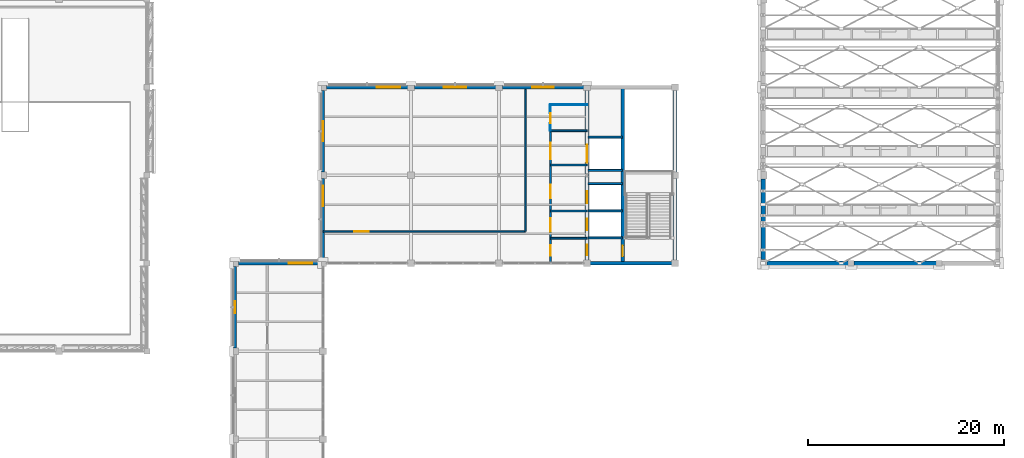
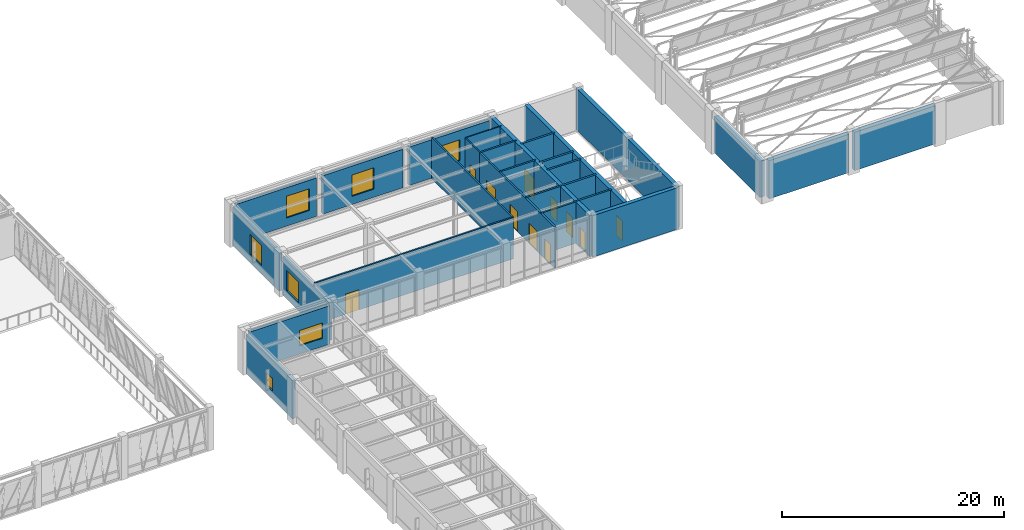
# One storey, part 85 of 98: 28 walls, 11 doors, 7 windows, 18 openings.
"""IFC4 building model written with IfcOpenShell, lengths in metres."""

from ifc_helpers import new_model, si_unit, direction, frame, frame_2d, origin, place, context, subcontext, project, spatial, rectangle, extrude, material, layer, layer_set, type_object, element, fill, save


model = new_model("IFC4")

# Units and contexts
model_context = context("Model", 3, precision=1e-05, world=origin(), true_north=direction((0.0, 1.0)))
body_context = subcontext(model_context, "Body", "Model", "MODEL_VIEW")
ifc_project = project(units=[si_unit("LENGTHUNIT", "METRE"), si_unit("AREAUNIT", "SQUARE_METRE"), si_unit("VOLUMEUNIT", "CUBIC_METRE"), si_unit("PLANEANGLEUNIT", "RADIAN"), si_unit("MASSUNIT", "GRAM", prefix="KILO")], contexts=[model_context])

# Site, building, storey
site_placement = place(None, origin())
site = spatial("IfcSite", under=ifc_project, at=site_placement, CompositionType="ELEMENT")
building_placement = place(site_placement, origin())
building = spatial("IfcBuilding", under=site, at=building_placement, Name="Lykobir Media Centre", CompositionType="ELEMENT")
storey_placement = place(building_placement, frame((0.0, 0.0, 10.199951171875)))
storey = spatial("IfcBuildingStorey", under=building, at=storey_placement, Name="L02", CompositionType="ELEMENT", Elevation=10.199951171875)

# Walls
ifc_material_1 = material(Name="Concrete C35/45", Category="concrete")
ifc_layer_1 = layer(ifc_material_1, 0.4599609375, Name="Concrete C35/45")
ifc_layer_set_1 = layer_set([ifc_layer_1], Name="Concrete C35/45")
wall_type_1 = type_object("IfcWallType", Name="EW-ACO-460", PredefinedType="STANDARD", material=ifc_layer_set_1)
wall_1_placement = place(storey_placement, frame((144.0, 80.614990234375, 0.0), z_axis=(0.0, 0.0, 1.0), x_axis=(0.0, -1.0, 0.0)))
element("IfcWall", 1, at=wall_1_placement, inside=storey, type_object=wall_type_1, Name="Exterior wall WALL-L02-0213", PredefinedType="STANDARD", context=body_context, shape_type="SweptSolid", body=[
    extrude(rectangle(XDim=8.22998046875, YDim=0.4599609375, at=frame_2d((4.114990234375, 0.0))), origin(), (0.0, 0.0, 1.0), 3.985107421875),
])
wall_2_placement = place(storey_placement, frame((144.385009765625, 72.0, 0.0), z_axis=(0.0, 0.0, 1.0), x_axis=(1.0, 0.0, 0.0)))
element("IfcWall", 2, at=wall_2_placement, inside=storey, type_object=wall_type_1, Name="Exterior wall WALL-L02-0218", PredefinedType="STANDARD", context=body_context, shape_type="SweptSolid", body=[
    extrude(rectangle(XDim=8.330078125, YDim=0.4599609375, at=frame_2d((4.1650390625, 0.0))), origin(), (0.0, 0.0, 1.0), 4.22509765625),
])
wall_3_placement = place(storey_placement, frame((153.284912109375, 72.0, 0.0), z_axis=(0.0, 0.0, 1.0), x_axis=(1.0, 0.0, 0.0)))
element("IfcWall", 3, at=wall_3_placement, inside=storey, type_object=wall_type_1, Name="Exterior wall WALL-L02-0219", PredefinedType="STANDARD", context=body_context, shape_type="SweptSolid", body=[
    extrude(rectangle(XDim=8.43017578125, YDim=0.4599609375, at=frame_2d((4.215087890625, 0.0))), origin(), (0.0, 0.0, 1.0), 4.22509765625),
])

# Wall, opening, window
ifc_material_2 = material(Name="Architectural Ochre Brick", Category="masonry")
ifc_layer_2 = layer(ifc_material_2, 0.330078125, Name="Architectural Ochre Brick")
ifc_layer_set_2 = layer_set([ifc_layer_2], Name="Architectural Ochre Brick")
wall_type_2 = type_object("IfcWallType", Name="EW-BRK-330", PredefinedType="STANDARD", material=ifc_layer_set_2)
wall_4_placement = place(storey_placement, frame((98.6650390625, 72.0, 0.0), z_axis=(0.0, 0.0, 1.0), x_axis=(-1.0, 0.0, 0.0)))
wall_4 = element("IfcWall", 4, at=wall_4_placement, inside=storey, type_object=wall_type_2, Name="Exterior wall WALL-L02-0196", PredefinedType="STANDARD", context=body_context, shape_type="SweptSolid", body=[
    extrude(rectangle(XDim=8.330078125, YDim=0.330078125, at=frame_2d((4.1650390625, 0.0))), origin(), (0.0, 0.0, 1.0), 4.235107421875),
])
opening_1_placement = place(wall_4_placement, frame((0.75, 0.0, 0.89990234375)))
opening_1 = element("IfcOpeningElement", 5, at=opening_1_placement, cuts=wall_4, Name="Opening WN-2400x1700", PredefinedType="OPENING", context=body_context, shape_type="SweptSolid", body=[
    extrude(rectangle(XDim=2.39990234375, YDim=1.699951171875, at=frame_2d((1.199951171875, 0.85009765625))), frame((0.0, 0.175048828125, 0.0), z_axis=(0.0, -1.0, 0.0), x_axis=(1.0, 0.0, 0.0)), (0.0, 0.0, 1.0), 0.35009765625),
])
ifc_material_3 = material(Name="Low-E Laminated Triple Glazing", Category="glass")
window_type_1 = type_object("IfcWindowType", Name="WN-2400x1700", PartitioningType="SINGLE_PANEL", PredefinedType="WINDOW", material=ifc_material_3)
window_1_placement = place(opening_1_placement, origin())
window_1 = element("IfcWindow", 6, at=window_1_placement, inside=storey, type_object=window_type_1, Name="Window WIN-L02-0057", OverallHeight=1.699951171875, OverallWidth=2.39990234375, PartitioningType="SINGLE_PANEL", PredefinedType="WINDOW", context=body_context, shape_type="SweptSolid", body=[
    extrude(rectangle(XDim=2.39990234375, YDim=1.699951171875, at=frame_2d((1.199951171875, 0.85009765625))), frame((0.0, 0.030029296875, 0.0), z_axis=(0.0, -1.0, 0.0), x_axis=(1.0, 0.0, 0.0)), (0.0, 0.0, 1.0), 0.06005859375),
])
fill(opening_1, window_1)

wall_5_placement = place(storey_placement, frame((90.0, 71.6650390625, 0.0), z_axis=(0.0, 0.0, 1.0), x_axis=(0.0, -1.0, 0.0)))
wall_5 = element("IfcWall", 7, at=wall_5_placement, inside=storey, type_object=wall_type_2, Name="Exterior wall WALL-L02-0202", PredefinedType="STANDARD", context=body_context, shape_type="SweptSolid", body=[
    extrude(rectangle(XDim=8.330078125, YDim=0.330078125, at=frame_2d((4.1650390625, 0.0))), origin(), (0.0, 0.0, 1.0), 4.235107421875),
])
opening_2_placement = place(wall_5_placement, frame((3.56494140625, 0.0, 0.89990234375)))
opening_2 = element("IfcOpeningElement", 8, at=opening_2_placement, cuts=wall_5, Name="Opening WN-1200x1400", PredefinedType="OPENING", context=body_context, shape_type="SweptSolid", body=[
    extrude(rectangle(XDim=1.199951171875, YDim=1.39990234375, at=frame_2d((0.60009765625, 0.699951171875))), frame((0.0, 0.175048828125, 0.0), z_axis=(0.0, -1.0, 0.0), x_axis=(1.0, 0.0, 0.0)), (0.0, 0.0, 1.0), 0.35009765625),
])
window_type_2 = type_object("IfcWindowType", Name="WN-1200x1400", PartitioningType="SINGLE_PANEL", PredefinedType="WINDOW", material=ifc_material_3)
window_2_placement = place(opening_2_placement, origin())
window_2 = element("IfcWindow", 9, at=window_2_placement, inside=storey, type_object=window_type_2, Name="Window WIN-L02-0063", OverallHeight=1.39990234375, OverallWidth=1.199951171875, PartitioningType="SINGLE_PANEL", PredefinedType="WINDOW", context=body_context, shape_type="SweptSolid", body=[
    extrude(rectangle(XDim=1.199951171875, YDim=1.39990234375, at=frame_2d((0.60009765625, 0.699951171875))), frame((0.0, 0.030029296875, 0.0), z_axis=(0.0, -1.0, 0.0), x_axis=(1.0, 0.0, 0.0)), (0.0, 0.0, 1.0), 0.06005859375),
])
fill(opening_2, window_2)

wall_6_placement = place(storey_placement, frame((107.6650390625, 90.0, 0.0), z_axis=(0.0, 0.0, 1.0), x_axis=(-1.0, 0.0, 0.0)))
wall_6 = element("IfcWall", 10, at=wall_6_placement, inside=storey, type_object=wall_type_2, Name="Exterior wall WALL-L02-0208", PredefinedType="STANDARD", context=body_context, shape_type="SweptSolid", body=[
    extrude(rectangle(XDim=8.330078125, YDim=0.330078125, at=frame_2d((4.1650390625, 0.0))), origin(), (0.0, 0.0, 1.0), 4.235107421875),
])
opening_3_placement = place(wall_6_placement, frame((0.75, 0.0, 0.89990234375)))
opening_3 = element("IfcOpeningElement", 11, at=opening_3_placement, cuts=wall_6, Name="Opening WN-2400x2400", PredefinedType="OPENING", context=body_context, shape_type="SweptSolid", body=[
    extrude(rectangle(XDim=2.39990234375, YDim=2.39990234375, at=frame_2d((1.199951171875, 1.199951171875))), frame((0.0, 0.175048828125, 0.0), z_axis=(0.0, -1.0, 0.0), x_axis=(1.0, 0.0, 0.0)), (0.0, 0.0, 1.0), 0.35009765625),
])
window_type_3 = type_object("IfcWindowType", Name="WN-2400x2400", PartitioningType="SINGLE_PANEL", PredefinedType="WINDOW", material=ifc_material_3)
window_3_placement = place(opening_3_placement, origin())
window_3 = element("IfcWindow", 12, at=window_3_placement, inside=storey, type_object=window_type_3, Name="Window WIN-L02-0068", OverallHeight=2.39990234375, OverallWidth=2.39990234375, PartitioningType="SINGLE_PANEL", PredefinedType="WINDOW", context=body_context, shape_type="SweptSolid", body=[
    extrude(rectangle(XDim=2.39990234375, YDim=2.39990234375, at=frame_2d((1.199951171875, 1.199951171875))), frame((0.0, 0.030029296875, 0.0), z_axis=(0.0, -1.0, 0.0), x_axis=(1.0, 0.0, 0.0)), (0.0, 0.0, 1.0), 0.06005859375),
])
fill(opening_3, window_3)

wall_7_placement = place(storey_placement, frame((116.6650390625, 90.0, 0.0), z_axis=(0.0, 0.0, 1.0), x_axis=(-1.0, 0.0, 0.0)))
wall_7 = element("IfcWall", 13, at=wall_7_placement, inside=storey, type_object=wall_type_2, Name="Exterior wall WALL-L02-0209", PredefinedType="STANDARD", context=body_context, shape_type="SweptSolid", body=[
    extrude(rectangle(XDim=8.330078125, YDim=0.330078125, at=frame_2d((4.1650390625, 0.0))), origin(), (0.0, 0.0, 1.0), 4.235107421875),
])
opening_4_placement = place(wall_7_placement, frame((3.014892578125, 0.0, 0.89990234375)))
opening_4 = element("IfcOpeningElement", 14, at=opening_4_placement, cuts=wall_7, Name="Opening WN-2300x2350", PredefinedType="OPENING", context=body_context, shape_type="SweptSolid", body=[
    extrude(rectangle(XDim=2.300048828125, YDim=2.35009765625, at=frame_2d((1.14990234375, 1.175048828125))), frame((0.0, 0.175048828125, 0.0), z_axis=(0.0, -1.0, 0.0), x_axis=(1.0, 0.0, 0.0)), (0.0, 0.0, 1.0), 0.35009765625),
])
window_type_4 = type_object("IfcWindowType", Name="WN-2300x2350", PartitioningType="SINGLE_PANEL", PredefinedType="WINDOW", material=ifc_material_3)
window_4_placement = place(opening_4_placement, origin())
window_4 = element("IfcWindow", 15, at=window_4_placement, inside=storey, type_object=window_type_4, Name="Window WIN-L02-0069", OverallHeight=2.35009765625, OverallWidth=2.300048828125, PartitioningType="SINGLE_PANEL", PredefinedType="WINDOW", context=body_context, shape_type="SweptSolid", body=[
    extrude(rectangle(XDim=2.300048828125, YDim=2.35009765625, at=frame_2d((1.14990234375, 1.175048828125))), frame((0.0, 0.030029296875, 0.0), z_axis=(0.0, -1.0, 0.0), x_axis=(1.0, 0.0, 0.0)), (0.0, 0.0, 1.0), 0.06005859375),
])
fill(opening_4, window_4)

wall_8_placement = place(storey_placement, frame((125.6650390625, 90.0, 0.0), z_axis=(0.0, 0.0, 1.0), x_axis=(-1.0, 0.0, 0.0)))
wall_8 = element("IfcWall", 16, at=wall_8_placement, inside=storey, type_object=wall_type_2, Name="Exterior wall WALL-L02-0210", PredefinedType="STANDARD", context=body_context, shape_type="SweptSolid", body=[
    extrude(rectangle(XDim=8.330078125, YDim=0.330078125, at=frame_2d((4.1650390625, 0.0))), origin(), (0.0, 0.0, 1.0), 4.235107421875),
])
opening_5_placement = place(wall_8_placement, frame((3.06494140625, 0.0, 0.89990234375)))
opening_5 = element("IfcOpeningElement", 17, at=opening_5_placement, cuts=wall_8, Name="Opening WN-2200x2300", PredefinedType="OPENING", context=body_context, shape_type="SweptSolid", body=[
    extrude(rectangle(XDim=2.199951171875, YDim=2.300048828125, at=frame_2d((1.10009765625, 1.14990234375))), frame((0.0, 0.175048828125, 0.0), z_axis=(0.0, -1.0, 0.0), x_axis=(1.0, 0.0, 0.0)), (0.0, 0.0, 1.0), 0.35009765625),
])
window_type_5 = type_object("IfcWindowType", Name="WN-2200x2300", PartitioningType="SINGLE_PANEL", PredefinedType="WINDOW", material=ifc_material_3)
window_5_placement = place(opening_5_placement, origin())
window_5 = element("IfcWindow", 18, at=window_5_placement, inside=storey, type_object=window_type_5, Name="Window WIN-L02-0070", OverallHeight=2.300048828125, OverallWidth=2.199951171875, PartitioningType="SINGLE_PANEL", PredefinedType="WINDOW", context=body_context, shape_type="SweptSolid", body=[
    extrude(rectangle(XDim=2.199951171875, YDim=2.300048828125, at=frame_2d((1.10009765625, 1.14990234375))), frame((0.0, 0.030029296875, 0.0), z_axis=(0.0, -1.0, 0.0), x_axis=(1.0, 0.0, 0.0)), (0.0, 0.0, 1.0), 0.06005859375),
])
fill(opening_5, window_5)

wall_9_placement = place(storey_placement, frame((99.0, 80.6650390625, 0.0), z_axis=(0.0, 0.0, 1.0), x_axis=(0.0, -1.0, 0.0)))
wall_9 = element("IfcWall", 19, at=wall_9_placement, inside=storey, type_object=wall_type_2, Name="Exterior wall WALL-L02-0211", PredefinedType="STANDARD", context=body_context, shape_type="SweptSolid", body=[
    extrude(rectangle(XDim=8.330078125, YDim=0.330078125, at=frame_2d((4.1650390625, 0.0))), origin(), (0.0, 0.0, 1.0), 4.215087890625),
])
opening_6_placement = place(wall_9_placement, frame((0.75, 0.0, 0.89990234375)))
opening_6 = element("IfcOpeningElement", 20, at=opening_6_placement, cuts=wall_9, Name="Opening WN-2100x2250", PredefinedType="OPENING", context=body_context, shape_type="SweptSolid", body=[
    extrude(rectangle(XDim=2.10009765625, YDim=2.25, at=frame_2d((1.050048828125, 1.125))), frame((0.0, 0.175048828125, 0.0), z_axis=(0.0, -1.0, 0.0), x_axis=(1.0, 0.0, 0.0)), (0.0, 0.0, 1.0), 0.35009765625),
])
window_type_6 = type_object("IfcWindowType", Name="WN-2100x2250", PartitioningType="SINGLE_PANEL", PredefinedType="WINDOW", material=ifc_material_3)
window_6_placement = place(opening_6_placement, origin())
window_6 = element("IfcWindow", 21, at=window_6_placement, inside=storey, type_object=window_type_6, Name="Window WIN-L02-0071", OverallHeight=2.25, OverallWidth=2.10009765625, PartitioningType="SINGLE_PANEL", PredefinedType="WINDOW", context=body_context, shape_type="SweptSolid", body=[
    extrude(rectangle(XDim=2.10009765625, YDim=2.25, at=frame_2d((1.050048828125, 1.125))), frame((0.0, 0.030029296875, 0.0), z_axis=(0.0, -1.0, 0.0), x_axis=(1.0, 0.0, 0.0)), (0.0, 0.0, 1.0), 0.06005859375),
])
fill(opening_6, window_6)

wall_10_placement = place(storey_placement, frame((99.0, 89.6650390625, 0.0), z_axis=(0.0, 0.0, 1.0), x_axis=(0.0, -1.0, 0.0)))
wall_10 = element("IfcWall", 22, at=wall_10_placement, inside=storey, type_object=wall_type_2, Name="Exterior wall WALL-L02-0212", PredefinedType="STANDARD", context=body_context, shape_type="SweptSolid", body=[
    extrude(rectangle(XDim=8.330078125, YDim=0.330078125, at=frame_2d((4.1650390625, 0.0))), origin(), (0.0, 0.0, 1.0), 4.215087890625),
])
opening_7_placement = place(wall_10_placement, frame((3.1650390625, 0.0, 0.89990234375)))
opening_7 = element("IfcOpeningElement", 23, at=opening_7_placement, cuts=wall_10, Name="Opening WN-2000x2200", PredefinedType="OPENING", context=body_context, shape_type="SweptSolid", body=[
    extrude(rectangle(XDim=2.0, YDim=2.199951171875, at=frame_2d((1.0, 1.10009765625))), frame((0.0, 0.175048828125, 0.0), z_axis=(0.0, -1.0, 0.0), x_axis=(1.0, 0.0, 0.0)), (0.0, 0.0, 1.0), 0.35009765625),
])
window_type_7 = type_object("IfcWindowType", Name="WN-2000x2200", PartitioningType="SINGLE_PANEL", PredefinedType="WINDOW", material=ifc_material_3)
window_7_placement = place(opening_7_placement, origin())
window_7 = element("IfcWindow", 24, at=window_7_placement, inside=storey, type_object=window_type_7, Name="Window WIN-L02-0072", OverallHeight=2.199951171875, OverallWidth=2.0, PartitioningType="SINGLE_PANEL", PredefinedType="WINDOW", context=body_context, shape_type="SweptSolid", body=[
    extrude(rectangle(XDim=2.0, YDim=2.199951171875, at=frame_2d((1.0, 1.10009765625))), frame((0.0, 0.030029296875, 0.0), z_axis=(0.0, -1.0, 0.0), x_axis=(1.0, 0.0, 0.0)), (0.0, 0.0, 1.0), 0.06005859375),
])
fill(opening_7, window_7)

# Wall, opening, door
ifc_material_4 = material(Name="Acoustic Gypsum Board", Category="gypsum")
ifc_layer_3 = layer(ifc_material_4, 0.159912109375, Name="Acoustic Gypsum Board")
ifc_layer_set_3 = layer_set([ifc_layer_3], Name="Acoustic Gypsum Board")
wall_type_3 = type_object("IfcWallType", Name="IW-COR-160", PredefinedType="PARTITIONING", material=ifc_layer_set_3)
wall_11_placement = place(storey_placement, frame((99.0, 75.25, 0.0), z_axis=(0.0, 0.0, 1.0), x_axis=(1.0, 0.0, 0.0)))
wall_11 = element("IfcWall", 25, at=wall_11_placement, inside=storey, type_object=wall_type_3, Name="Wall IWALL-L02-0713", PredefinedType="PARTITIONING", context=body_context, shape_type="SweptSolid", body=[
    extrude(rectangle(XDim=20.699951171875, YDim=0.159912109375, at=frame_2d((10.35009765625, 0.0))), origin(), (0.0, 0.0, 1.0), 4.56005859375),
])
opening_8_placement = place(wall_11_placement, frame((3.199951171875, 0.0, 0.0)))
opening_8 = element("IfcOpeningElement", 26, at=opening_8_placement, cuts=wall_11, Name="Opening D-L02-ENB1", PredefinedType="OPENING", context=body_context, shape_type="SweptSolid", body=[
    extrude(rectangle(XDim=1.449951171875, YDim=2.219970703125, at=frame_2d((0.72509765625, 1.10986328125))), frame((0.0, 0.08984375, 0.0), z_axis=(0.0, -1.0, 0.0), x_axis=(1.0, 0.0, 0.0)), (0.0, 0.0, 1.0), 0.179931640625),
])
ifc_material_5 = material(Name="Acoustic Timber Panelling", Category="wood")
door_type_1 = type_object("IfcDoorType", Name="FD-1450x2220", OperationType="NOTDEFINED", PredefinedType="DOOR", material=ifc_material_5)
door_1_placement = place(opening_8_placement, origin())
door_1 = element("IfcDoor", 27, at=door_1_placement, inside=storey, type_object=door_type_1, Name="Door D-L02-ENB1", OperationType="DOUBLE_DOOR_SINGLE_SWING", OverallHeight=2.219970703125, OverallWidth=1.449951171875, PredefinedType="DOOR", context=body_context, shape_type="SweptSolid", body=[
    extrude(rectangle(XDim=1.449951171875, YDim=2.219970703125, at=frame_2d((0.72509765625, 1.10986328125))), frame((0.0, 0.02490234375, 0.0), z_axis=(0.0, -1.0, 0.0), x_axis=(1.0, 0.0, 0.0)), (0.0, 0.0, 1.0), 0.050048828125),
])
fill(opening_8, door_1)

# Wall
wall_12_placement = place(storey_placement, frame((119.699951171875, 75.25, 0.0), z_axis=(0.0, 0.0, 1.0), x_axis=(0.0, 1.0, 0.0)))
element("IfcWall", 28, at=wall_12_placement, inside=storey, type_object=wall_type_3, Name="Wall IWALL-L02-0714", PredefinedType="PARTITIONING", context=body_context, shape_type="SweptSolid", body=[
    extrude(rectangle(XDim=14.530029296875, YDim=0.159912109375, at=frame_2d((7.26513671875, 0.0))), origin(), (0.0, 0.0, 1.0), 4.56005859375),
])

# Wall, openings, doors
ifc_layer_4 = layer(ifc_material_4, 0.179931640625, Name="Acoustic Gypsum Board")
ifc_layer_set_4 = layer_set([ifc_layer_4], Name="Acoustic Gypsum Board")
wall_type_4 = type_object("IfcWallType", Name="IW-FFLOB-180", PredefinedType="PARTITIONING", material=ifc_layer_set_4)
wall_13_placement = place(storey_placement, frame((122.25, 72.0, 0.0), z_axis=(0.0, 0.0, 1.0), x_axis=(0.0, 1.0, 0.0)))
wall_13 = element("IfcWall", 29, at=wall_13_placement, inside=storey, type_object=wall_type_4, Name="Wall IWALL-L02-0516", PredefinedType="PARTITIONING", context=body_context, shape_type="SweptSolid", body=[
    extrude(rectangle(XDim=13.550048828125, YDim=0.179931640625, at=frame_2d((6.77490234375, 0.0))), origin(), (0.0, 0.0, 1.0), 4.56005859375),
])
opening_9_placement = place(wall_13_placement, frame((0.75, 0.0, 0.0)))
opening_9 = element("IfcOpeningElement", 30, at=opening_9_placement, cuts=wall_13, Name="Opening D-L02-C4LV", PredefinedType="OPENING", context=body_context, shape_type="SweptSolid", body=[
    extrude(rectangle(XDim=1.10009765625, YDim=2.159912109375, at=frame_2d((0.550048828125, 1.080078125))), frame((0.0, 0.099853515625, 0.0), z_axis=(0.0, -1.0, 0.0), x_axis=(1.0, 0.0, 0.0)), (0.0, 0.0, 1.0), 0.199951171875),
])
opening_10_placement = place(wall_13_placement, frame((3.199951171875, 0.0, 0.0)))
opening_10 = element("IfcOpeningElement", 31, at=opening_10_placement, cuts=wall_13, Name="Opening D-L02-C4PL", PredefinedType="OPENING", context=body_context, shape_type="SweptSolid", body=[
    extrude(rectangle(XDim=1.39990234375, YDim=2.199951171875, at=frame_2d((0.699951171875, 1.10009765625))), frame((0.0, 0.099853515625, 0.0), z_axis=(0.0, -1.0, 0.0), x_axis=(1.0, 0.0, 0.0)), (0.0, 0.0, 1.0), 0.199951171875),
])
opening_11_placement = place(wall_13_placement, frame((6.64990234375, 0.0, 0.0)))
opening_11 = element("IfcOpeningElement", 32, at=opening_11_placement, cuts=wall_13, Name="Opening D-L02-C4FF", PredefinedType="OPENING", context=body_context, shape_type="SweptSolid", body=[
    extrude(rectangle(XDim=1.39990234375, YDim=2.199951171875, at=frame_2d((0.699951171875, 1.10009765625))), frame((0.0, 0.099853515625, 0.0), z_axis=(0.0, -1.0, 0.0), x_axis=(1.0, 0.0, 0.0)), (0.0, 0.0, 1.0), 0.199951171875),
])
opening_12_placement = place(wall_13_placement, frame((10.64990234375, 0.0, 0.0)))
opening_12 = element("IfcOpeningElement", 33, at=opening_12_placement, cuts=wall_13, Name="Opening D-L02-C4GL", PredefinedType="OPENING", context=body_context, shape_type="SweptSolid", body=[
    extrude(rectangle(XDim=1.64990234375, YDim=2.25, at=frame_2d((0.824951171875, 1.125))), frame((0.0, 0.099853515625, 0.0), z_axis=(0.0, -1.0, 0.0), x_axis=(1.0, 0.0, 0.0)), (0.0, 0.0, 1.0), 0.199951171875),
])
door_type_2 = type_object("IfcDoorType", Name="FD-1100x2160", OperationType="NOTDEFINED", PredefinedType="DOOR", material=ifc_material_5)
door_2_placement = place(opening_9_placement, origin())
door_2 = element("IfcDoor", 34, at=door_2_placement, inside=storey, type_object=door_type_2, Name="Door D-L02-C4LV", OperationType="SINGLE_SWING_LEFT", OverallHeight=2.159912109375, OverallWidth=1.10009765625, PredefinedType="DOOR", context=body_context, shape_type="SweptSolid", body=[
    extrude(rectangle(XDim=1.10009765625, YDim=2.159912109375, at=frame_2d((0.550048828125, 1.080078125))), frame((0.0, 0.02490234375, 0.0), z_axis=(0.0, -1.0, 0.0), x_axis=(1.0, 0.0, 0.0)), (0.0, 0.0, 1.0), 0.050048828125),
])
fill(opening_9, door_2)
door_type_3 = type_object("IfcDoorType", Name="FD-1400x2200", OperationType="NOTDEFINED", PredefinedType="DOOR", material=ifc_material_5)
door_3_placement = place(opening_10_placement, origin())
door_3 = element("IfcDoor", 35, at=door_3_placement, inside=storey, type_object=door_type_3, Name="Door D-L02-C4PL", OperationType="DOUBLE_DOOR_SINGLE_SWING", OverallHeight=2.199951171875, OverallWidth=1.39990234375, PredefinedType="DOOR", context=body_context, shape_type="SweptSolid", body=[
    extrude(rectangle(XDim=1.39990234375, YDim=2.199951171875, at=frame_2d((0.699951171875, 1.10009765625))), frame((0.0, 0.02490234375, 0.0), z_axis=(0.0, -1.0, 0.0), x_axis=(1.0, 0.0, 0.0)), (0.0, 0.0, 1.0), 0.050048828125),
])
fill(opening_10, door_3)
door_4_placement = place(opening_11_placement, origin())
door_4 = element("IfcDoor", 36, at=door_4_placement, inside=storey, type_object=door_type_3, Name="Door D-L02-C4FF", OperationType="DOUBLE_DOOR_SINGLE_SWING", OverallHeight=2.199951171875, OverallWidth=1.39990234375, PredefinedType="DOOR", context=body_context, shape_type="SweptSolid", body=[
    extrude(rectangle(XDim=1.39990234375, YDim=2.199951171875, at=frame_2d((0.699951171875, 1.10009765625))), frame((0.0, 0.02490234375, 0.0), z_axis=(0.0, -1.0, 0.0), x_axis=(1.0, 0.0, 0.0)), (0.0, 0.0, 1.0), 0.050048828125),
])
fill(opening_11, door_4)
door_type_4 = type_object("IfcDoorType", Name="FD-1650x2250", OperationType="NOTDEFINED", PredefinedType="DOOR", material=ifc_material_5)
door_5_placement = place(opening_12_placement, origin())
door_5 = element("IfcDoor", 37, at=door_5_placement, inside=storey, type_object=door_type_4, Name="Door D-L02-C4GL", OperationType="DOUBLE_DOOR_SINGLE_SWING", OverallHeight=2.25, OverallWidth=1.64990234375, PredefinedType="DOOR", context=body_context, shape_type="SweptSolid", body=[
    extrude(rectangle(XDim=1.64990234375, YDim=2.25, at=frame_2d((0.824951171875, 1.125))), frame((0.0, 0.02490234375, 0.0), z_axis=(0.0, -1.0, 0.0), x_axis=(1.0, 0.0, 0.0)), (0.0, 0.0, 1.0), 0.050048828125),
])
fill(opening_12, door_5)

# Walls
for number, where, z_axis, x_axis, name in (
    (38, (122.25, 74.550048828125, 0.0), (0.0, 0.0, 1.0), (1.0, 0.0, 0.0), "Wall IWALL-L02-0517"),
    (39, (122.25, 77.35009765625, 0.0), (0.0, 0.0, 1.0), (1.0, 0.0, 0.0), "Wall IWALL-L02-0518"),
    (40, (122.25, 82.050048828125, 0.0), (0.0, 0.0, 1.0), (1.0, 0.0, 0.0), "Wall IWALL-L02-0519"),
    (41, (122.25, 85.550048828125, 0.0), (0.0, 0.0, 1.0), (1.0, 0.0, 0.0), "Wall IWALL-L02-0520"),
):
    element("IfcWall", number, at=place(storey_placement, frame(where, z_axis=z_axis, x_axis=x_axis)), inside=storey, type_object=wall_type_4, Name=name, PredefinedType="PARTITIONING", context=body_context, shape_type="SweptSolid", body=[
        extrude(rectangle(XDim=3.75, YDim=0.179931640625, at=frame_2d((1.875, 0.0))), origin(), (0.0, 0.0, 1.0), 4.56005859375),
    ])
ifc_material_6 = material(Name="Concrete C30/37", Category="concrete")
ifc_layer_5 = layer(ifc_material_6, 0.199951171875, Name="Concrete C30/37")
ifc_layer_set_5 = layer_set([ifc_layer_5], Name="Concrete C30/37")
wall_type_5 = type_object("IfcWallType", Name="IW-SHAFT-200", PredefinedType="PARTITIONING", material=ifc_layer_set_5)
for number, where, z_axis, x_axis, name in (
    (42, (126.10009765625, 74.60009765625, 0.0), (0.0, 0.0, 1.0), (1.0, 0.0, 0.0), "Wall IWALL-L02-0511"),
    (43, (126.10009765625, 77.35009765625, 0.0), (0.0, 0.0, 1.0), (1.0, 0.0, 0.0), "Wall IWALL-L02-0512"),
    (44, (126.10009765625, 80.14990234375, 0.0), (0.0, 0.0, 1.0), (1.0, 0.0, 0.0), "Wall IWALL-L02-0513"),
    (45, (126.10009765625, 81.5, 0.0), (0.0, 0.0, 1.0), (1.0, 0.0, 0.0), "Wall IWALL-L02-0514"),
    (46, (126.10009765625, 84.89990234375, 0.0), (0.0, 0.0, 1.0), (1.0, 0.0, 0.0), "Wall IWALL-L02-0515"),
):
    element("IfcWall", number, at=place(storey_placement, frame(where, z_axis=z_axis, x_axis=x_axis)), inside=storey, type_object=wall_type_5, Name=name, PredefinedType="PARTITIONING", context=body_context, shape_type="SweptSolid", body=[
        extrude(rectangle(XDim=3.5, YDim=0.199951171875, at=frame_2d((1.75, 0.0))), origin(), (0.0, 0.0, 1.0), 4.56005859375),
    ])

# Wall, opening, door
ifc_layer_6 = layer(ifc_material_4, 0.094970703125, Name="Acoustic Gypsum Board")
ifc_layer_set_6 = layer_set([ifc_layer_6], Name="Acoustic Gypsum Board")
wall_type_6 = type_object("IfcWallType", Name="IW-WC-095", PredefinedType="PARTITIONING", material=ifc_layer_set_6)
wall_14_placement = place(storey_placement, frame((122.25, 85.550048828125, 0.0), z_axis=(0.0, 0.0, 1.0), x_axis=(0.0, 1.0, 0.0)))
wall_14 = element("IfcWall", 47, at=wall_14_placement, inside=storey, type_object=wall_type_6, Name="Wall IWALL-L02-0521", PredefinedType="PARTITIONING", context=body_context, shape_type="SweptSolid", body=[
    extrude(rectangle(XDim=2.64990234375, YDim=0.094970703125, at=frame_2d((1.324951171875, 0.0))), origin(), (0.0, 0.0, 1.0), 4.56005859375),
])
opening_13_placement = place(wall_14_placement, frame((0.75, 0.0, 0.0)))
opening_13 = element("IfcOpeningElement", 48, at=opening_13_placement, cuts=wall_14, Name="Opening D-L02-WCA4", PredefinedType="OPENING", context=body_context, shape_type="SweptSolid", body=[
    extrude(rectangle(XDim=1.050048828125, YDim=2.1298828125, at=frame_2d((0.52490234375, 1.06494140625))), frame((0.0, 0.057373046875, 0.0), z_axis=(0.0, -1.0, 0.0), x_axis=(1.0, 0.0, 0.0)), (0.0, 0.0, 1.0), 0.114990234375),
])
door_type_5 = type_object("IfcDoorType", Name="ID-1050x2130", OperationType="NOTDEFINED", PredefinedType="DOOR", material=ifc_material_5)
door_6_placement = place(opening_13_placement, origin())
door_6 = element("IfcDoor", 49, at=door_6_placement, inside=storey, type_object=door_type_5, Name="Door D-L02-WCA4", OperationType="SINGLE_SWING_RIGHT", OverallHeight=2.1298828125, OverallWidth=1.050048828125, PredefinedType="DOOR", context=body_context, shape_type="SweptSolid", body=[
    extrude(rectangle(XDim=1.050048828125, YDim=2.1298828125, at=frame_2d((0.52490234375, 1.06494140625))), frame((0.0, 0.02490234375, 0.0), z_axis=(0.0, -1.0, 0.0), x_axis=(1.0, 0.0, 0.0)), (0.0, 0.0, 1.0), 0.050048828125),
])
fill(opening_13, door_6)

# Wall
wall_15_placement = place(storey_placement, frame((122.25, 88.199951171875, 0.0), z_axis=(0.0, 0.0, 1.0), x_axis=(1.0, 0.0, 0.0)))
element("IfcWall", 50, at=wall_15_placement, inside=storey, type_object=wall_type_6, Name="Wall IWALL-L02-0522", PredefinedType="PARTITIONING", context=body_context, shape_type="SweptSolid", body=[
    extrude(rectangle(XDim=3.75, YDim=0.094970703125, at=frame_2d((1.875, 0.0))), origin(), (0.0, 0.0, 1.0), 4.56005859375),
])

# Wall, openings, doors
ifc_material_7 = material(Name="Concrete C40/50", Category="concrete")
ifc_layer_7 = layer(ifc_material_7, 0.39990234375, Name="Concrete C40/50")
ifc_layer_set_7 = layer_set([ifc_layer_7], Name="Concrete C40/50")
wall_type_7 = type_object("IfcWallType", Name="SW-CORE-400", PredefinedType="SHEAR", material=ifc_layer_set_7)
wall_16_placement = place(storey_placement, frame((126.0, 90.0, 0.0), z_axis=(0.0, 0.0, 1.0), x_axis=(0.0, -1.0, 0.0)))
wall_16 = element("IfcWall", 51, at=wall_16_placement, inside=storey, type_object=wall_type_7, Name="Wall IWALL-L02-0509", PredefinedType="SHEAR", context=body_context, shape_type="SweptSolid", body=[
    extrude(rectangle(XDim=18.0, YDim=0.39990234375, at=frame_2d((9.0, 0.0))), origin(), (0.0, 0.0, 1.0), 4.56005859375),
])
opening_14_placement = place(wall_16_placement, frame((16.10009765625, 0.0, 0.0)))
opening_14 = element("IfcOpeningElement", 52, at=opening_14_placement, cuts=wall_16, Name="Opening D-L02-C4VB", PredefinedType="OPENING", context=body_context, shape_type="SweptSolid", body=[
    extrude(rectangle(XDim=1.10009765625, YDim=2.159912109375, at=frame_2d((0.550048828125, 1.080078125))), frame((0.0, 0.2099609375, 0.0), z_axis=(0.0, -1.0, 0.0), x_axis=(1.0, 0.0, 0.0)), (0.0, 0.0, 1.0), 0.419921875),
])
opening_15_placement = place(wall_16_placement, frame((13.449951171875, 0.0, 0.0)))
opening_15 = element("IfcOpeningElement", 53, at=opening_15_placement, cuts=wall_16, Name="Opening LD-L02-PL-4", PredefinedType="OPENING", context=body_context, shape_type="SweptSolid", body=[
    extrude(rectangle(XDim=1.199951171875, YDim=2.199951171875, at=frame_2d((0.60009765625, 1.10009765625))), frame((0.0, 0.2099609375, 0.0), z_axis=(0.0, -1.0, 0.0), x_axis=(1.0, 0.0, 0.0)), (0.0, 0.0, 1.0), 0.419921875),
])
opening_16_placement = place(wall_16_placement, frame((10.64990234375, 0.0, 0.0)))
opening_16 = element("IfcOpeningElement", 54, at=opening_16_placement, cuts=wall_16, Name="Opening LD-L02-FL-3", PredefinedType="OPENING", context=body_context, shape_type="SweptSolid", body=[
    extrude(rectangle(XDim=1.199951171875, YDim=2.199951171875, at=frame_2d((0.60009765625, 1.10009765625))), frame((0.0, 0.2099609375, 0.0), z_axis=(0.0, -1.0, 0.0), x_axis=(1.0, 0.0, 0.0)), (0.0, 0.0, 1.0), 0.419921875),
])
opening_17_placement = place(wall_16_placement, frame((5.89990234375, 0.0, 0.0)))
opening_17 = element("IfcOpeningElement", 55, at=opening_17_placement, cuts=wall_16, Name="Opening LD-L02-GL-1", PredefinedType="OPENING", context=body_context, shape_type="SweptSolid", body=[
    extrude(rectangle(XDim=1.800048828125, YDim=2.35009765625, at=frame_2d((0.89990234375, 1.175048828125))), frame((0.0, 0.2099609375, 0.0), z_axis=(0.0, -1.0, 0.0), x_axis=(1.0, 0.0, 0.0)), (0.0, 0.0, 1.0), 0.419921875),
])
door_7_placement = place(opening_14_placement, origin())
door_7 = element("IfcDoor", 56, at=door_7_placement, inside=storey, type_object=door_type_2, Name="Door D-L02-C4VB", OperationType="SINGLE_SWING_RIGHT", OverallHeight=2.159912109375, OverallWidth=1.10009765625, PredefinedType="DOOR", context=body_context, shape_type="SweptSolid", body=[
    extrude(rectangle(XDim=1.10009765625, YDim=2.159912109375, at=frame_2d((0.550048828125, 1.080078125))), frame((0.0, 0.02490234375, 0.0), z_axis=(0.0, -1.0, 0.0), x_axis=(1.0, 0.0, 0.0)), (0.0, 0.0, 1.0), 0.050048828125),
])
fill(opening_14, door_7)
ifc_material_8 = material(Name="Anodized Aluminium AW-6060", Category="aluminium")
door_type_6 = type_object("IfcDoorType", Name="LD-1200x2200", OperationType="NOTDEFINED", PredefinedType="DOOR", material=ifc_material_8)
door_8_placement = place(opening_15_placement, origin())
door_8 = element("IfcDoor", 57, at=door_8_placement, inside=storey, type_object=door_type_6, Name="Lift landing door PL-4 L02", OperationType="SLIDING_TO_LEFT", OverallHeight=2.199951171875, OverallWidth=1.199951171875, PredefinedType="DOOR", context=body_context, shape_type="SweptSolid", body=[
    extrude(rectangle(XDim=1.199951171875, YDim=2.199951171875, at=frame_2d((0.60009765625, 1.10009765625))), frame((0.0, 0.02490234375, 0.0), z_axis=(0.0, -1.0, 0.0), x_axis=(1.0, 0.0, 0.0)), (0.0, 0.0, 1.0), 0.050048828125),
])
fill(opening_15, door_8)
door_9_placement = place(opening_16_placement, origin())
door_9 = element("IfcDoor", 58, at=door_9_placement, inside=storey, type_object=door_type_6, Name="Firefighting lift landing door FL-3 L02", OperationType="SLIDING_TO_LEFT", OverallHeight=2.199951171875, OverallWidth=1.199951171875, PredefinedType="DOOR", context=body_context, shape_type="SweptSolid", body=[
    extrude(rectangle(XDim=1.199951171875, YDim=2.199951171875, at=frame_2d((0.60009765625, 1.10009765625))), frame((0.0, 0.02490234375, 0.0), z_axis=(0.0, -1.0, 0.0), x_axis=(1.0, 0.0, 0.0)), (0.0, 0.0, 1.0), 0.050048828125),
])
fill(opening_16, door_9)
door_type_7 = type_object("IfcDoorType", Name="LD-1800x2350", OperationType="NOTDEFINED", PredefinedType="DOOR", material=ifc_material_8)
door_10_placement = place(opening_17_placement, origin())
door_10 = element("IfcDoor", 59, at=door_10_placement, inside=storey, type_object=door_type_7, Name="Goods lift landing door GL-1 L02", OperationType="DOUBLE_DOOR_SLIDING", OverallHeight=2.35009765625, OverallWidth=1.800048828125, PredefinedType="DOOR", context=body_context, shape_type="SweptSolid", body=[
    extrude(rectangle(XDim=1.800048828125, YDim=2.35009765625, at=frame_2d((0.89990234375, 1.175048828125))), frame((0.0, 0.02490234375, 0.0), z_axis=(0.0, -1.0, 0.0), x_axis=(1.0, 0.0, 0.0)), (0.0, 0.0, 1.0), 0.050048828125),
])
fill(opening_17, door_10)

# Wall, opening, door
wall_17_placement = place(storey_placement, frame((129.64990234375, 72.0, 0.0), z_axis=(0.0, 0.0, 1.0), x_axis=(0.0, 1.0, 0.0)))
wall_17 = element("IfcWall", 60, at=wall_17_placement, inside=storey, type_object=wall_type_7, Name="Wall IWALL-L02-0510", PredefinedType="SHEAR", context=body_context, shape_type="SweptSolid", body=[
    extrude(rectangle(XDim=18.0, YDim=0.39990234375, at=frame_2d((9.0, 0.0))), origin(), (0.0, 0.0, 1.0), 4.56005859375),
])
opening_18_placement = place(wall_17_placement, frame((0.699951171875, 0.0, 0.0)))
opening_18 = element("IfcOpeningElement", 61, at=opening_18_placement, cuts=wall_17, Name="Opening D-L02-C4ST", PredefinedType="OPENING", context=body_context, shape_type="SweptSolid", body=[
    extrude(rectangle(XDim=1.10009765625, YDim=2.159912109375, at=frame_2d((0.550048828125, 1.080078125))), frame((0.0, 0.2099609375, 0.0), z_axis=(0.0, -1.0, 0.0), x_axis=(1.0, 0.0, 0.0)), (0.0, 0.0, 1.0), 0.419921875),
])
door_11_placement = place(opening_18_placement, origin())
door_11 = element("IfcDoor", 62, at=door_11_placement, inside=storey, type_object=door_type_2, Name="L02 ST-4 stairwell fire door", OperationType="SINGLE_SWING_LEFT", OverallHeight=2.159912109375, OverallWidth=1.10009765625, PredefinedType="DOOR", context=body_context, shape_type="SweptSolid", body=[
    extrude(rectangle(XDim=1.10009765625, YDim=2.159912109375, at=frame_2d((0.550048828125, 1.080078125))), frame((0.0, 0.02490234375, 0.0), z_axis=(0.0, -1.0, 0.0), x_axis=(1.0, 0.0, 0.0)), (0.0, 0.0, 1.0), 0.050048828125),
])
fill(opening_18, door_11)

# Walls
ifc_layer_8 = layer(ifc_material_7, 0.39990234375, Name="Concrete C40/50")
ifc_layer_set_8 = layer_set([ifc_layer_8], Name="Concrete C40/50")
wall_type_8 = type_object("IfcWallType", Name="SW-CORE-400-E", PredefinedType="SHEAR", material=ifc_layer_set_8)
wall_18_placement = place(storey_placement, frame((126.0, 72.0, 0.0), z_axis=(0.0, 0.0, 1.0), x_axis=(1.0, 0.0, 0.0)))
element("IfcWall", 63, at=wall_18_placement, inside=storey, type_object=wall_type_8, Name="Wall IWALL-L02-0506", PredefinedType="SHEAR", context=body_context, shape_type="SweptSolid", body=[
    extrude(rectangle(XDim=9.0, YDim=0.39990234375, at=frame_2d((4.5, 0.0))), origin(), (0.0, 0.0, 1.0), 4.56005859375),
])
wall_19_placement = place(storey_placement, frame((135.0, 72.0, 0.0), z_axis=(0.0, 0.0, 1.0), x_axis=(0.0, 1.0, 0.0)))
element("IfcWall", 64, at=wall_19_placement, inside=storey, type_object=wall_type_8, Name="Wall IWALL-L02-0507", PredefinedType="SHEAR", context=body_context, shape_type="SweptSolid", body=[
    extrude(rectangle(XDim=18.0, YDim=0.39990234375, at=frame_2d((9.0, 0.0))), origin(), (0.0, 0.0, 1.0), 4.56005859375),
])

save(model, "model.ifc")
